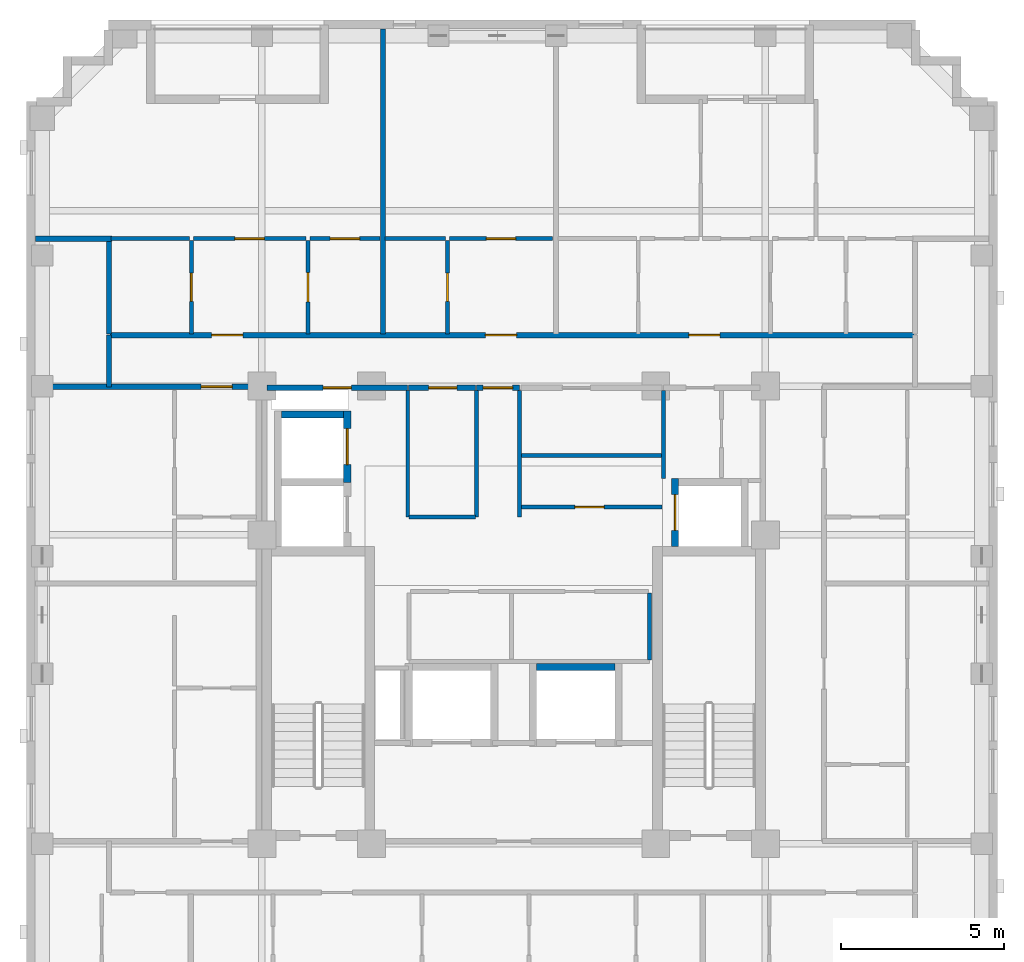
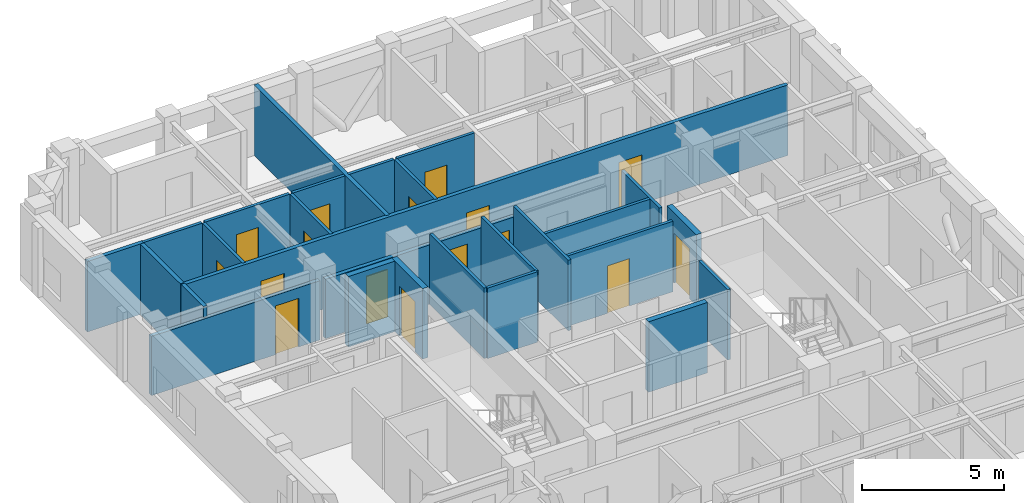
# One storey, part 5 of 11: 29 walls, 16 doors, 16 openings.
"""IFC4 building model written with IfcOpenShell, lengths in metres."""

import ifcopenshell
import ifcopenshell.guid

model = None  # the IFC model being written
_history = None  # IfcOwnerHistory: only IFC2X3 demands one
_inside = {}  # id of a spatial element -> (the spatial element, [elements in it])
_under = {}  # id of a project, library or spatial element -> (it, [spatial elements below it])
_declared = {}  # id of a project -> (the project, [libraries it declares])
_typed = {}  # id of a type object -> (the type object, [elements of that type])
_made_of = {}  # id of a material, layer set ... -> (it, [elements and type objects made of it])


def new_model(schema):
    """Start an empty IFC model of exactly this schema.

    Asked for "IFC4X3", IfcOpenShell would pick the latest addendum, in which some entities
    have other attributes; the version numbers below select the first issue.
    IFC2X3 requires an IfcOwnerHistory on every rooted entity: one is made here for all.
    """
    global model, _history
    if schema == "IFC4X3":
        model = ifcopenshell.file(schema_version=(4, 3, 0, 0))
    else:
        model = ifcopenshell.file(schema=schema)
    _inside.clear()
    _under.clear()
    _declared.clear()
    _typed.clear()
    _made_of.clear()
    _history = None
    if model.schema == "IFC2X3":
        org = make("IfcOrganization", Name="unknown")
        user = make(
            "IfcPersonAndOrganization",
            ThePerson=make("IfcPerson", FamilyName="unknown"),
            TheOrganization=org,
        )
        app = make(
            "IfcApplication",
            ApplicationDeveloper=org,
            Version="unknown",
            ApplicationFullName="unknown",
            ApplicationIdentifier="unknown",
        )
        _history = make(
            "IfcOwnerHistory",
            OwningUser=user,
            OwningApplication=app,
            ChangeAction="ADDED",
            CreationDate=0,
        )
    return model


def make(cls, **values):
    """One entity of the class cls with the attributes given. An attribute that is None is left unset."""
    return model.create_entity(
        cls, **{name: value for name, value in values.items() if value is not None}
    )


def rooted(cls, **values):
    """An entity with a GlobalId (a new one), such as an element, a storey or a relation."""
    return make(cls, GlobalId=ifcopenshell.guid.new(), OwnerHistory=_history, **values)


def si_unit(unit_type, name, prefix=None):
    """IfcSIUnit, for example si_unit("LENGTHUNIT", "METRE", prefix="MILLI")."""
    return make("IfcSIUnit", UnitType=unit_type, Prefix=prefix, Name=name)


def derived_unit(unit_type, elements):
    """IfcDerivedUnit: a product of units, each with its exponent."""
    return make(
        "IfcDerivedUnit",
        Elements=[
            make("IfcDerivedUnitElement", Unit=unit, Exponent=power)
            for unit, power in elements
        ],
        UnitType=unit_type,
    )


def assignment(units):
    """IfcUnitAssignment: the units of a project."""
    return None if units is None else make("IfcUnitAssignment", Units=units)


def point(xyz):
    """IfcCartesianPoint."""
    return None if xyz is None else make("IfcCartesianPoint", Coordinates=xyz)


def direction(xyz):
    """IfcDirection."""
    return None if xyz is None else make("IfcDirection", DirectionRatios=xyz)


def frame(location, z_axis=None, x_axis=None):
    """IfcAxis2Placement3D, a coordinate frame: its origin and axes. An axis left out is left unset."""
    return make(
        "IfcAxis2Placement3D",
        Location=point(location),
        Axis=direction(z_axis),
        RefDirection=direction(x_axis),
    )


def frame_2d(location, x_axis=None):
    """IfcAxis2Placement2D, a coordinate frame in the plane: its origin and x axis."""
    return make(
        "IfcAxis2Placement2D", Location=point(location), RefDirection=direction(x_axis)
    )


def origin():
    """The frame at (0, 0, 0) with its axes left unset."""
    return frame((0.0, 0.0, 0.0))


def place(relative_to, where):
    """IfcLocalPlacement: puts the frame where relative to a parent placement (None: the world)."""
    return make(
        "IfcLocalPlacement", PlacementRelTo=relative_to, RelativePlacement=where
    )


def context(
    kind, dimensions, precision=None, world=None, true_north=None, identifier=None
):
    """IfcGeometricRepresentationContext, for example the 3D "Model" context."""
    return make(
        "IfcGeometricRepresentationContext",
        ContextIdentifier=identifier,
        ContextType=kind,
        CoordinateSpaceDimension=dimensions,
        Precision=precision,
        WorldCoordinateSystem=world,
        TrueNorth=true_north,
    )


def subcontext(parent, identifier, kind, view, scale=None):
    """IfcGeometricRepresentationSubContext, for example "Body" below "Model"."""
    return make(
        "IfcGeometricRepresentationSubContext",
        ContextIdentifier=identifier,
        ContextType=kind,
        ParentContext=parent,
        TargetScale=scale,
        TargetView=view,
    )


def project(units=None, contexts=None):
    """IfcProject with its units and contexts."""
    return rooted(
        "IfcProject",
        Name="project",
        RepresentationContexts=contexts,
        UnitsInContext=assignment(units),
    )


def spatial(cls, under=None, at=None, **own):
    """A site, building, storey or space (cls), placed at a placement, below another one or the project."""
    s = rooted(cls, ObjectPlacement=at, **own)
    if under is not None:
        _under.setdefault(under.id(), (under, []))[1].append(s)
    return s


def profile(cls, at=None, kind="AREA", **sizes):
    """A parametric profile (cls). Its sizes go by their IFC names, for example OverallWidth=200.0."""
    return make(cls, ProfileType=kind, Position=at, **sizes)


def rectangle(**sizes):
    """IfcRectangleProfileDef."""
    return profile("IfcRectangleProfileDef", **sizes)


def extrude(swept, where, along, depth):
    """IfcExtrudedAreaSolid: the profile swept, set in the frame where, extruded along a direction by depth."""
    return make(
        "IfcExtrudedAreaSolid",
        SweptArea=swept,
        Position=where,
        ExtrudedDirection=direction(along),
        Depth=depth,
    )


def shape(context_of_items, identifier, shape_type, items):
    """IfcShapeRepresentation: the items that make up one representation, for example the "Body"."""
    return make(
        "IfcShapeRepresentation",
        ContextOfItems=context_of_items,
        RepresentationIdentifier=identifier,
        RepresentationType=shape_type,
        Items=items,
    )


def material(Name=None, Category=None):
    """IfcMaterial."""
    return make("IfcMaterial", Name=Name, Category=Category)


def layer(
    of_material, thickness, ventilated=None, Name=None, Category=None, Priority=None
):
    """IfcMaterialLayer: one layer of a wall or slab, of a material (None: an air gap)."""
    return make(
        "IfcMaterialLayer",
        Material=of_material,
        LayerThickness=thickness,
        IsVentilated=ventilated,
        Name=Name,
        Category=Category,
        Priority=Priority,
    )


def layer_set(layers, Name=None):
    """IfcMaterialLayerSet."""
    return make("IfcMaterialLayerSet", MaterialLayers=layers, LayerSetName=Name)


def made_of(thing, what):
    """Note that an element or type object is made of a material, layer set ...; save() writes the relation."""
    if what is not None:
        _made_of.setdefault(what.id(), (what, []))[1].append(thing)
    return thing


def type_object(cls, material=None, **own):
    """A type object (cls), such as IfcWallType, which elements share."""
    return made_of(rooted(cls, **own), material)


def element(
    cls,
    number,
    at=None,
    inside=None,
    cuts=None,
    type_object=None,
    material=None,
    context=None,
    identifier="Body",
    shape_type=None,
    held_by="IfcProductDefinitionShape",
    body=None,
    shapes=None,
    **own,
):
    """One element of the class cls, such as IfcWall. Its Tag is "e" and its number.

    at: its placement. inside: the storey or other place that contains it. cuts: it is an
    opening in that element (IfcRelVoidsElement). A single representation is given by context,
    identifier, shape_type and body (its items); several are given by shapes. held_by: the class
    of the entity that holds the representations. save() writes the other relations.
    """
    e = rooted(cls, Tag="e%d" % number, ObjectPlacement=at, **own)
    if body is not None:
        shapes = [shape(context, identifier, shape_type, body)]
    if shapes is not None:
        e.Representation = make(held_by, Representations=shapes)
    if inside is not None:
        _inside.setdefault(inside.id(), (inside, []))[1].append(e)
    if cuts is not None:
        rooted(
            "IfcRelVoidsElement", RelatingBuildingElement=cuts, RelatedOpeningElement=e
        )
    if type_object is not None:
        _typed.setdefault(type_object.id(), (type_object, []))[1].append(e)
    return made_of(e, material)


def fill(opening, filler):
    """IfcRelFillsElement: the door or window that sits in an opening."""
    return rooted(
        "IfcRelFillsElement",
        RelatingOpeningElement=opening,
        RelatedBuildingElement=filler,
    )


def aggregate(whole, parts):
    """IfcRelAggregates: a whole, such as a stair, and the parts it consists of."""
    return rooted("IfcRelAggregates", RelatingObject=whole, RelatedObjects=parts)


def save(model, path):
    """Write the relations noted so far, then the file.

    IfcRelAggregates (storeys below a building ...), IfcRelContainedInSpatialStructure (elements
    in a storey), IfcRelDefinesByType, IfcRelAssociatesMaterial and IfcRelDeclares: one each for
    every whole, place, type object, material and project.
    """
    for whole, parts in _under.values():
        aggregate(whole, parts)
    for where, things in _inside.values():
        rooted(
            "IfcRelContainedInSpatialStructure",
            RelatedElements=things,
            RelatingStructure=where,
        )
    for kind, things in _typed.values():
        rooted("IfcRelDefinesByType", RelatedObjects=things, RelatingType=kind)
    for what, things in _made_of.values():
        rooted("IfcRelAssociatesMaterial", RelatedObjects=things, RelatingMaterial=what)
    for by, libraries in _declared.values():
        rooted("IfcRelDeclares", RelatingContext=by, RelatedDefinitions=libraries)
    model.write(path)


model = new_model("IFC4")

# Units and contexts
model_context = context("Model", 3, precision=1e-05, world=origin(), true_north=direction((0.0, 1.0)))
body_context = subcontext(model_context, "Body", "Model", "MODEL_VIEW")
ifc_project = project(units=[si_unit("LENGTHUNIT", "METRE"), si_unit("AREAUNIT", "SQUARE_METRE"), si_unit("VOLUMEUNIT", "CUBIC_METRE"), si_unit("PLANEANGLEUNIT", "RADIAN"), si_unit("MASSUNIT", "GRAM", prefix="KILO"), derived_unit("THERMALTRANSMITTANCEUNIT", [(si_unit("MASSUNIT", "GRAM", prefix="KILO"), 1), (si_unit("TIMEUNIT", "SECOND"), -3), (si_unit("THERMODYNAMICTEMPERATUREUNIT", "KELVIN"), -1)])], contexts=[model_context])

# Site, building, storey
site_placement = place(None, origin())
site = spatial("IfcSite", under=ifc_project, at=site_placement, CompositionType="ELEMENT")
building_placement = place(site_placement, origin())
building = spatial("IfcBuilding", under=site, at=building_placement, Name="Korrvale Station Residences", CompositionType="ELEMENT")
storey_placement = place(building_placement, frame((0.0, 0.0, 190.89990234375)))
storey = spatial("IfcBuildingStorey", under=building, at=storey_placement, Name="L55", CompositionType="ELEMENT", Elevation=190.89990234375)

# Walls
ifc_material_1 = material(Name="Acoustic steel-stud gypsum board partition", Category="steel")
ifc_layer_1 = layer(ifc_material_1, 0.1201171875, Name="Acoustic steel-stud gypsum board partition")
ifc_layer_set_1 = layer_set([ifc_layer_1], Name="Acoustic steel-stud gypsum board partition")
wall_type_1 = type_object("IfcWallType", Name="WAL-PART-125", PredefinedType="PARTITIONING", material=ifc_layer_set_1)
for number, where, z_axis, x_axis, name in (
    (1, (24.360107421875, 25.0, 0.0), (0.0, 0.0, 1.0), (0.0, 1.0, 0.0), "L55 Core Partition CW-PSG-W"),
    (2, (25.679931640625, 25.0, 0.0), (0.0, 0.0, 1.0), (0.0, 1.0, 0.0), "L55 Core Partition CW-PSG-E"),
):
    element("IfcWall", number, at=place(storey_placement, frame(where, z_axis=z_axis, x_axis=x_axis)), inside=storey, type_object=wall_type_1, Name=name, PredefinedType="PARTITIONING", context=body_context, shape_type="SweptSolid", body=[
        extrude(rectangle(XDim=3.8701171875, YDim=0.1201171875, at=frame_2d((1.93505859375, 0.0))), origin(), (0.0, 0.0, 1.0), 3.0400390625),
    ])
wall_1_placement = place(storey_placement, frame((30.080078125, 26.179931640625, 0.0), z_axis=(0.0, 0.0, 1.0), x_axis=(0.0, 1.0, 0.0)))
element("IfcWall", 3, at=wall_1_placement, inside=storey, type_object=wall_type_1, Name="L55 Core Partition CW-CS-W", PredefinedType="PARTITIONING", context=body_context, shape_type="SweptSolid", body=[
    extrude(rectangle(XDim=2.68017578125, YDim=0.1201171875, at=frame_2d((1.340087890625, 0.0))), origin(), (0.0, 0.0, 1.0), 3.0400390625),
])
wall_2_placement = place(storey_placement, frame((22.260009765625, 25.0, 0.0), z_axis=(0.0, 0.0, 1.0), x_axis=(0.0, 1.0, 0.0)))
element("IfcWall", 4, at=wall_2_placement, inside=storey, type_object=wall_type_1, Name="L55 Core Partition CW-FPLW-W", PredefinedType="PARTITIONING", context=body_context, shape_type="SweptSolid", body=[
    extrude(rectangle(XDim=3.860107421875, YDim=0.1201171875, at=frame_2d((1.93017578125, 0.0))), origin(), (0.0, 0.0, 1.0), 3.0400390625),
])
wall_3_placement = place(storey_placement, frame((22.300048828125, 25.0, 0.0), z_axis=(0.0, 0.0, 1.0), x_axis=(1.0, 0.0, 0.0)))
element("IfcWall", 5, at=wall_3_placement, inside=storey, type_object=wall_type_1, Name="L55 Core Partition CW-FPLW-S", PredefinedType="PARTITIONING", context=body_context, shape_type="SweptSolid", body=[
    extrude(rectangle(XDim=2.0400390625, YDim=0.1201171875, at=frame_2d((1.02001953125, 0.0))), origin(), (0.0, 0.0, 1.0), 3.0400390625),
])
wall_4_placement = place(storey_placement, frame((25.719970703125, 26.8798828125, 0.0), z_axis=(0.0, 0.0, 1.0), x_axis=(1.0, 0.0, 0.0)))
element("IfcWall", 6, at=wall_4_placement, inside=storey, type_object=wall_type_1, Name="L55 Core Partition CW-FPLE-H", PredefinedType="PARTITIONING", context=body_context, shape_type="SweptSolid", body=[
    extrude(rectangle(XDim=4.320068359375, YDim=0.1201171875, at=frame_2d((2.16015625, 0.0))), origin(), (0.0, 0.0, 1.0), 3.0400390625),
])

# Wall, opening, door
wall_5_placement = place(storey_placement, frame((25.719970703125, 25.300048828125, 0.0), z_axis=(0.0, 0.0, 1.0), x_axis=(1.0, 0.0, 0.0)))
wall_5 = element("IfcWall", 7, at=wall_5_placement, inside=storey, type_object=wall_type_1, Name="L55 Core Partition CW-FPLE-S", PredefinedType="PARTITIONING", context=body_context, shape_type="SweptSolid", body=[
    extrude(rectangle(XDim=4.320068359375, YDim=0.1201171875, at=frame_2d((2.16015625, 0.0))), origin(), (0.0, 0.0, 1.0), 3.0400390625),
])
opening_1_placement = place(wall_5_placement, frame((1.64990234375, 0.0, 0.0)))
opening_1 = element("IfcOpeningElement", 8, at=opening_1_placement, cuts=wall_5, Name="Opening DI-900", PredefinedType="OPENING", context=body_context, shape_type="SweptSolid", body=[
    extrude(rectangle(XDim=0.89990234375, YDim=2.050048828125, at=frame_2d((0.449951171875, 1.02490234375))), frame((0.0, 0.070068359375, 0.0), z_axis=(0.0, -1.0, 0.0), x_axis=(1.0, 0.0, 0.0)), (0.0, 0.0, 1.0), 0.14013671875),
])
ifc_material_2 = material(Name="Painted solid-core timber interior room door", Category="wood")
door_type_1 = type_object("IfcDoorType", Name="DR-INT-900", OperationType="NOTDEFINED", PredefinedType="DOOR", material=ifc_material_2)
door_1_placement = place(opening_1_placement, origin())
door_1 = element("IfcDoor", 9, at=door_1_placement, inside=storey, type_object=door_type_1, Name="L55 Housekeeping Linen Door", OperationType="SINGLE_SWING_LEFT", OverallHeight=2.050048828125, OverallWidth=0.89990234375, PredefinedType="DOOR", context=body_context, shape_type="SweptSolid", body=[
    extrude(rectangle(XDim=0.89990234375, YDim=2.050048828125, at=frame_2d((0.449951171875, 1.02490234375))), frame((0.0, 0.02490234375, 0.0), z_axis=(0.0, -1.0, 0.0), x_axis=(1.0, 0.0, 0.0)), (0.0, 0.0, 1.0), 0.050048828125),
])
fill(opening_1, door_1)

# Wall
wall_6_placement = place(storey_placement, frame((29.659912109375, 20.6201171875, 0.0), z_axis=(0.0, 0.0, 1.0), x_axis=(0.0, 1.0, 0.0)))
element("IfcWall", 10, at=wall_6_placement, inside=storey, type_object=wall_type_1, Name="L55 Core Partition CW-FPM-E", PredefinedType="PARTITIONING", context=body_context, shape_type="SweptSolid", body=[
    extrude(rectangle(XDim=2.059814453125, YDim=0.1201171875, at=frame_2d((1.02978515625, 0.0))), origin(), (0.0, 0.0, 1.0), 3.0400390625),
])

# Wall, opening, door
wall_7_placement = place(storey_placement, frame((15.639892578125, 30.60009765625, 0.0), z_axis=(0.0, 0.0, 1.0), x_axis=(0.0, 1.0, 0.0)))
wall_7 = element("IfcWall", 11, at=wall_7_placement, inside=storey, type_object=wall_type_1, Name="L55 Suite Partition U04-V01", PredefinedType="PARTITIONING", context=body_context, shape_type="SweptSolid", body=[
    extrude(rectangle(XDim=2.849853515625, YDim=0.1201171875, at=frame_2d((1.4248046875, 0.0))), origin(), (0.0, 0.0, 1.0), 3.0400390625),
])
opening_2_placement = place(wall_7_placement, frame((0.9951171875, 0.0, 0.0)))
opening_2 = element("IfcOpeningElement", 12, at=opening_2_placement, cuts=wall_7, Name="Opening DB-860", PredefinedType="OPENING", context=body_context, shape_type="SweptSolid", body=[
    extrude(rectangle(XDim=0.860107421875, YDim=2.050048828125, at=frame_2d((0.43017578125, 1.02490234375))), frame((0.0, 0.070068359375, 0.0), z_axis=(0.0, -1.0, 0.0), x_axis=(1.0, 0.0, 0.0)), (0.0, 0.0, 1.0), 0.14013671875),
])
ifc_material_3 = material(Name="Moisture-resistant solid-core bathroom door", Category="timber")
door_type_2 = type_object("IfcDoorType", Name="DR-BATH-860", OperationType="NOTDEFINED", PredefinedType="DOOR", material=ifc_material_3)
door_2_placement = place(opening_2_placement, origin())
door_2 = element("IfcDoor", 13, at=door_2_placement, inside=storey, type_object=door_type_2, Name="L55 Studio Apartment L55-U04 Bathroom Door", OperationType="SINGLE_SWING_LEFT", OverallHeight=2.050048828125, OverallWidth=0.860107421875, PredefinedType="DOOR", context=body_context, shape_type="SweptSolid", body=[
    extrude(rectangle(XDim=0.860107421875, YDim=2.050048828125, at=frame_2d((0.43017578125, 1.02490234375))), frame((0.0, 0.02490234375, 0.0), z_axis=(0.0, -1.0, 0.0), x_axis=(1.0, 0.0, 0.0)), (0.0, 0.0, 1.0), 0.050048828125),
])
fill(opening_2, door_2)

# Wall
wall_8_placement = place(storey_placement, frame((13.179931640625, 33.510009765625, 0.0), z_axis=(0.0, 0.0, 1.0), x_axis=(1.0, 0.0, 0.0)))
element("IfcWall", 14, at=wall_8_placement, inside=storey, type_object=wall_type_1, Name="L55 Suite Partition U04-H03", PredefinedType="PARTITIONING", context=body_context, shape_type="SweptSolid", body=[
    extrude(rectangle(XDim=2.400146484375, YDim=0.1201171875, at=frame_2d((1.2001953125, 0.0))), origin(), (0.0, 0.0, 1.0), 3.0400390625),
])

# Wall, opening, door
wall_9_placement = place(storey_placement, frame((19.2099609375, 30.60009765625, 0.0), z_axis=(0.0, 0.0, 1.0), x_axis=(0.0, 1.0, 0.0)))
wall_9 = element("IfcWall", 15, at=wall_9_placement, inside=storey, type_object=wall_type_1, Name="L55 Suite Partition U04-V12", PredefinedType="PARTITIONING", context=body_context, shape_type="SweptSolid", body=[
    extrude(rectangle(XDim=2.849853515625, YDim=0.1201171875, at=frame_2d((1.4248046875, 0.0))), origin(), (0.0, 0.0, 1.0), 3.0400390625),
])
opening_3_placement = place(wall_9_placement, frame((0.97509765625, 0.0, 0.0)))
opening_3 = element("IfcOpeningElement", 16, at=opening_3_placement, cuts=wall_9, Name="Opening DI-900", PredefinedType="OPENING", context=body_context, shape_type="SweptSolid", body=[
    extrude(rectangle(XDim=0.89990234375, YDim=2.050048828125, at=frame_2d((0.449951171875, 1.02490234375))), frame((0.0, 0.070068359375, 0.0), z_axis=(0.0, -1.0, 0.0), x_axis=(1.0, 0.0, 0.0)), (0.0, 0.0, 1.0), 0.14013671875),
])
door_3_placement = place(opening_3_placement, origin())
door_3 = element("IfcDoor", 17, at=door_3_placement, inside=storey, type_object=door_type_1, Name="L55 Studio Apartment L55-U04 Kitchen Door", OperationType="SINGLE_SWING_RIGHT", OverallHeight=2.050048828125, OverallWidth=0.89990234375, PredefinedType="DOOR", context=body_context, shape_type="SweptSolid", body=[
    extrude(rectangle(XDim=0.89990234375, YDim=2.050048828125, at=frame_2d((0.449951171875, 1.02490234375))), frame((0.0, 0.02490234375, 0.0), z_axis=(0.0, -1.0, 0.0), x_axis=(1.0, 0.0, 0.0)), (0.0, 0.0, 1.0), 0.050048828125),
])
fill(opening_3, door_3)

wall_10_placement = place(storey_placement, frame((15.699951171875, 33.510009765625, 0.0), z_axis=(0.0, 0.0, 1.0), x_axis=(1.0, 0.0, 0.0)))
wall_10 = element("IfcWall", 18, at=wall_10_placement, inside=storey, type_object=wall_type_1, Name="L55 Suite Partition U04-H13", PredefinedType="PARTITIONING", context=body_context, shape_type="SweptSolid", body=[
    extrude(rectangle(XDim=3.449951171875, YDim=0.1201171875, at=frame_2d((1.72509765625, 0.0))), origin(), (0.0, 0.0, 1.0), 3.0400390625),
])
opening_4_placement = place(wall_10_placement, frame((1.27490234375, 0.0, 0.0)))
opening_4 = element("IfcOpeningElement", 19, at=opening_4_placement, cuts=wall_10, Name="Opening DI-900", PredefinedType="OPENING", context=body_context, shape_type="SweptSolid", body=[
    extrude(rectangle(XDim=0.89990234375, YDim=2.050048828125, at=frame_2d((0.449951171875, 1.02490234375))), frame((0.0, 0.070068359375, 0.0), z_axis=(0.0, -1.0, 0.0), x_axis=(1.0, 0.0, 0.0)), (0.0, 0.0, 1.0), 0.14013671875),
])
door_4_placement = place(opening_4_placement, origin())
door_4 = element("IfcDoor", 20, at=door_4_placement, inside=storey, type_object=door_type_1, Name="L55 Studio Apartment L55-U04 Kitchen Door", OperationType="SINGLE_SWING_LEFT", OverallHeight=2.050048828125, OverallWidth=0.89990234375, PredefinedType="DOOR", context=body_context, shape_type="SweptSolid", body=[
    extrude(rectangle(XDim=0.89990234375, YDim=2.050048828125, at=frame_2d((0.449951171875, 1.02490234375))), frame((0.0, 0.02490234375, 0.0), z_axis=(0.0, -1.0, 0.0), x_axis=(1.0, 0.0, 0.0)), (0.0, 0.0, 1.0), 0.050048828125),
])
fill(opening_4, door_4)

wall_11_placement = place(storey_placement, frame((19.27001953125, 33.510009765625, 0.0), z_axis=(0.0, 0.0, 1.0), x_axis=(1.0, 0.0, 0.0)))
wall_11 = element("IfcWall", 21, at=wall_11_placement, inside=storey, type_object=wall_type_1, Name="L55 Suite Partition U04-H23", PredefinedType="PARTITIONING", context=body_context, shape_type="SweptSolid", body=[
    extrude(rectangle(XDim=2.135009765625, YDim=0.1201171875, at=frame_2d((1.0673828125, 0.0))), origin(), (0.0, 0.0, 1.0), 3.0400390625),
])
opening_5_placement = place(wall_11_placement, frame((0.616943359375, 0.0, 0.0)))
opening_5 = element("IfcOpeningElement", 22, at=opening_5_placement, cuts=wall_11, Name="Opening DI-900", PredefinedType="OPENING", context=body_context, shape_type="SweptSolid", body=[
    extrude(rectangle(XDim=0.89990234375, YDim=2.050048828125, at=frame_2d((0.449951171875, 1.02490234375))), frame((0.0, 0.070068359375, 0.0), z_axis=(0.0, -1.0, 0.0), x_axis=(1.0, 0.0, 0.0)), (0.0, 0.0, 1.0), 0.14013671875),
])
door_5_placement = place(opening_5_placement, origin())
door_5 = element("IfcDoor", 23, at=door_5_placement, inside=storey, type_object=door_type_1, Name="L55 Studio Apartment L55-U04 Utility and Laundry Room Door", OperationType="SINGLE_SWING_RIGHT", OverallHeight=2.050048828125, OverallWidth=0.89990234375, PredefinedType="DOOR", context=body_context, shape_type="SweptSolid", body=[
    extrude(rectangle(XDim=0.89990234375, YDim=2.050048828125, at=frame_2d((0.449951171875, 1.02490234375))), frame((0.0, 0.02490234375, 0.0), z_axis=(0.0, -1.0, 0.0), x_axis=(1.0, 0.0, 0.0)), (0.0, 0.0, 1.0), 0.050048828125),
])
fill(opening_5, door_5)

wall_12_placement = place(storey_placement, frame((23.47509765625, 30.60009765625, 0.0), z_axis=(0.0, 0.0, 1.0), x_axis=(0.0, 1.0, 0.0)))
wall_12 = element("IfcWall", 24, at=wall_12_placement, inside=storey, type_object=wall_type_1, Name="L55 Suite Partition U05-V01", PredefinedType="PARTITIONING", context=body_context, shape_type="SweptSolid", body=[
    extrude(rectangle(XDim=2.849853515625, YDim=0.1201171875, at=frame_2d((1.4248046875, 0.0))), origin(), (0.0, 0.0, 1.0), 3.0400390625),
])
opening_6_placement = place(wall_12_placement, frame((0.9951171875, 0.0, 0.0)))
opening_6 = element("IfcOpeningElement", 25, at=opening_6_placement, cuts=wall_12, Name="Opening DB-860", PredefinedType="OPENING", context=body_context, shape_type="SweptSolid", body=[
    extrude(rectangle(XDim=0.860107421875, YDim=2.050048828125, at=frame_2d((0.43017578125, 1.02490234375))), frame((0.0, 0.070068359375, 0.0), z_axis=(0.0, -1.0, 0.0), x_axis=(1.0, 0.0, 0.0)), (0.0, 0.0, 1.0), 0.14013671875),
])
door_6_placement = place(opening_6_placement, origin())
door_6 = element("IfcDoor", 26, at=door_6_placement, inside=storey, type_object=door_type_2, Name="L55 Studio Apartment L55-U05 Bathroom Door", OperationType="SINGLE_SWING_LEFT", OverallHeight=2.050048828125, OverallWidth=0.860107421875, PredefinedType="DOOR", context=body_context, shape_type="SweptSolid", body=[
    extrude(rectangle(XDim=0.860107421875, YDim=2.050048828125, at=frame_2d((0.43017578125, 1.02490234375))), frame((0.0, 0.02490234375, 0.0), z_axis=(0.0, -1.0, 0.0), x_axis=(1.0, 0.0, 0.0)), (0.0, 0.0, 1.0), 0.050048828125),
])
fill(opening_6, door_6)

# Wall
wall_13_placement = place(storey_placement, frame((21.56494140625, 33.510009765625, 0.0), z_axis=(0.0, 0.0, 1.0), x_axis=(1.0, 0.0, 0.0)))
element("IfcWall", 27, at=wall_13_placement, inside=storey, type_object=wall_type_1, Name="L55 Suite Partition U05-H02", PredefinedType="PARTITIONING", context=body_context, shape_type="SweptSolid", body=[
    extrude(rectangle(XDim=1.85009765625, YDim=0.1201171875, at=frame_2d((0.925048828125, 0.0))), origin(), (0.0, 0.0, 1.0), 3.0400390625),
])

# Wall, opening, door
wall_14_placement = place(storey_placement, frame((23.534912109375, 33.510009765625, 0.0), z_axis=(0.0, 0.0, 1.0), x_axis=(1.0, 0.0, 0.0)))
wall_14 = element("IfcWall", 28, at=wall_14_placement, inside=storey, type_object=wall_type_1, Name="L55 Suite Partition U05-H12", PredefinedType="PARTITIONING", context=body_context, shape_type="SweptSolid", body=[
    extrude(rectangle(XDim=3.156982421875, YDim=0.1201171875, at=frame_2d((1.57861328125, 0.0))), origin(), (0.0, 0.0, 1.0), 3.0400390625),
])
opening_7_placement = place(wall_14_placement, frame((1.12890625, 0.0, 0.0)))
opening_7 = element("IfcOpeningElement", 29, at=opening_7_placement, cuts=wall_14, Name="Opening DI-900", PredefinedType="OPENING", context=body_context, shape_type="SweptSolid", body=[
    extrude(rectangle(XDim=0.89990234375, YDim=2.050048828125, at=frame_2d((0.449951171875, 1.02490234375))), frame((0.0, 0.070068359375, 0.0), z_axis=(0.0, -1.0, 0.0), x_axis=(1.0, 0.0, 0.0)), (0.0, 0.0, 1.0), 0.14013671875),
])
door_7_placement = place(opening_7_placement, origin())
door_7 = element("IfcDoor", 30, at=door_7_placement, inside=storey, type_object=door_type_1, Name="L55 Studio Apartment L55-U05 Kitchen Door", OperationType="SINGLE_SWING_RIGHT", OverallHeight=2.050048828125, OverallWidth=0.89990234375, PredefinedType="DOOR", context=body_context, shape_type="SweptSolid", body=[
    extrude(rectangle(XDim=0.89990234375, YDim=2.050048828125, at=frame_2d((0.449951171875, 1.02490234375))), frame((0.0, 0.02490234375, 0.0), z_axis=(0.0, -1.0, 0.0), x_axis=(1.0, 0.0, 0.0)), (0.0, 0.0, 1.0), 0.050048828125),
])
fill(opening_7, door_7)

ifc_material_4 = material(Name="Fire-rated twin-stud gypsum and mineral wool shaftwall assembly", Category="gypsum")
ifc_layer_2 = layer(ifc_material_4, 0.159912109375, Name="Fire-rated twin-stud gypsum and mineral wool shaftwall assembly")
ifc_layer_set_2 = layer_set([ifc_layer_2], Name="Fire-rated twin-stud gypsum and mineral wool shaftwall assembly")
wall_type_2 = type_object("IfcWallType", Name="WAL-PART-200", PredefinedType="PARTITIONING", material=ifc_layer_set_2)
wall_15_placement = place(storey_placement, frame((24.360107421875, 28.949951171875, 0.0), z_axis=(0.0, 0.0, 1.0), x_axis=(1.0, 0.0, 0.0)))
wall_15 = element("IfcWall", 31, at=wall_15_placement, inside=storey, type_object=wall_type_2, Name="L55 Core Partition CW-LLOB-N", PredefinedType="PARTITIONING", context=body_context, shape_type="SweptSolid", body=[
    extrude(rectangle(XDim=1.31982421875, YDim=0.159912109375, at=frame_2d((0.659912109375, 0.0))), origin(), (0.0, 0.0, 1.0), 2.55615234375),
])
opening_8_placement = place(wall_15_placement, frame((0.2099609375, 0.0, 0.0)))
opening_8 = element("IfcOpeningElement", 32, at=opening_8_placement, cuts=wall_15, Name="Opening DI-900", PredefinedType="OPENING", context=body_context, shape_type="SweptSolid", body=[
    extrude(rectangle(XDim=0.89990234375, YDim=2.050048828125, at=frame_2d((0.449951171875, 1.02490234375))), frame((0.0, 0.08984375, 0.0), z_axis=(0.0, -1.0, 0.0), x_axis=(1.0, 0.0, 0.0)), (0.0, 0.0, 1.0), 0.179931640625),
])
door_8_placement = place(opening_8_placement, origin())
door_8 = element("IfcDoor", 33, at=door_8_placement, inside=storey, type_object=door_type_1, Name="L55 Central Hallway North Passage Door", OperationType="SINGLE_SWING_RIGHT", OverallHeight=2.050048828125, OverallWidth=0.89990234375, PredefinedType="DOOR", context=body_context, shape_type="SweptSolid", body=[
    extrude(rectangle(XDim=0.89990234375, YDim=2.050048828125, at=frame_2d((0.449951171875, 1.02490234375))), frame((0.0, 0.02490234375, 0.0), z_axis=(0.0, -1.0, 0.0), x_axis=(1.0, 0.0, 0.0)), (0.0, 0.0, 1.0), 0.050048828125),
])
fill(opening_8, door_8)

wall_16_placement = place(storey_placement, frame((17.9599609375, 28.949951171875, 0.0), z_axis=(0.0, 0.0, 1.0), x_axis=(1.0, 0.0, 0.0)))
wall_16 = element("IfcWall", 34, at=wall_16_placement, inside=storey, type_object=wall_type_2, Name="L55 Core Partition CW-NW", PredefinedType="PARTITIONING", context=body_context, shape_type="SweptSolid", body=[
    extrude(rectangle(XDim=4.2900390625, YDim=0.159912109375, at=frame_2d((2.14501953125, 0.0))), origin(), (0.0, 0.0, 1.0), 2.55615234375),
])
opening_9_placement = place(wall_16_placement, frame((1.715087890625, 0.0, 0.0)))
opening_9 = element("IfcOpeningElement", 35, at=opening_9_placement, cuts=wall_16, Name="Opening DB-860", PredefinedType="OPENING", context=body_context, shape_type="SweptSolid", body=[
    extrude(rectangle(XDim=0.860107421875, YDim=2.050048828125, at=frame_2d((0.43017578125, 1.02490234375))), frame((0.0, 0.08984375, 0.0), z_axis=(0.0, -1.0, 0.0), x_axis=(1.0, 0.0, 0.0)), (0.0, 0.0, 1.0), 0.179931640625),
])
door_9_placement = place(opening_9_placement, origin())
door_9 = element("IfcDoor", 36, at=door_9_placement, inside=storey, type_object=door_type_2, Name="L55 Electrical Riser Access Door", OperationType="SINGLE_SWING_LEFT", OverallHeight=2.050048828125, OverallWidth=0.860107421875, PredefinedType="DOOR", context=body_context, shape_type="SweptSolid", body=[
    extrude(rectangle(XDim=0.860107421875, YDim=2.050048828125, at=frame_2d((0.43017578125, 1.02490234375))), frame((0.0, 0.02490234375, 0.0), z_axis=(0.0, -1.0, 0.0), x_axis=(1.0, 0.0, 0.0)), (0.0, 0.0, 1.0), 0.050048828125),
])
fill(opening_9, door_9)

wall_17_placement = place(storey_placement, frame((22.280029296875, 28.949951171875, 0.0), z_axis=(0.0, 0.0, 1.0), x_axis=(1.0, 0.0, 0.0)))
wall_17 = element("IfcWall", 37, at=wall_17_placement, inside=storey, type_object=wall_type_2, Name="L55 Core Partition CW-FPLW-N", PredefinedType="PARTITIONING", context=body_context, shape_type="SweptSolid", body=[
    extrude(rectangle(XDim=2.06005859375, YDim=0.159912109375, at=frame_2d((1.030029296875, 0.0))), origin(), (0.0, 0.0, 1.0), 2.55615234375),
])
opening_10_placement = place(wall_17_placement, frame((0.6201171875, 0.0, 0.0)))
opening_10 = element("IfcOpeningElement", 38, at=opening_10_placement, cuts=wall_17, Name="Opening DB-860", PredefinedType="OPENING", context=body_context, shape_type="SweptSolid", body=[
    extrude(rectangle(XDim=0.860107421875, YDim=2.050048828125, at=frame_2d((0.43017578125, 1.02490234375))), frame((0.0, 0.08984375, 0.0), z_axis=(0.0, -1.0, 0.0), x_axis=(1.0, 0.0, 0.0)), (0.0, 0.0, 1.0), 0.179931640625),
])
door_10_placement = place(opening_10_placement, origin())
door_10 = element("IfcDoor", 39, at=door_10_placement, inside=storey, type_object=door_type_2, Name="L55 Resident Parcel Room Door", OperationType="SINGLE_SWING_RIGHT", OverallHeight=2.050048828125, OverallWidth=0.860107421875, PredefinedType="DOOR", context=body_context, shape_type="SweptSolid", body=[
    extrude(rectangle(XDim=0.860107421875, YDim=2.050048828125, at=frame_2d((0.43017578125, 1.02490234375))), frame((0.0, 0.02490234375, 0.0), z_axis=(0.0, -1.0, 0.0), x_axis=(1.0, 0.0, 0.0)), (0.0, 0.0, 1.0), 0.050048828125),
])
fill(opening_10, door_10)

# Walls
wall_18_placement = place(storey_placement, frame((13.1201171875, 28.97998046875, 0.0), z_axis=(0.0, 0.0, 1.0), x_axis=(0.0, 1.0, 0.0)))
element("IfcWall", 40, at=wall_18_placement, inside=storey, type_object=wall_type_2, Name="L55 Corridor North West Cap", PredefinedType="PARTITIONING", context=body_context, shape_type="SweptSolid", body=[
    extrude(rectangle(XDim=1.580078125, YDim=0.159912109375, at=frame_2d((0.7900390625, 0.0))), origin(), (0.0, 0.0, 1.0), 3.0400390625),
])
wall_19_placement = place(storey_placement, frame((10.8798828125, 33.510009765625, 0.0), z_axis=(0.0, 0.0, 1.0), x_axis=(1.0, 0.0, 0.0)))
element("IfcWall", 41, at=wall_19_placement, inside=storey, type_object=wall_type_2, Name="L55 Corner Step Wall U04-L", PredefinedType="PARTITIONING", context=body_context, shape_type="SweptSolid", body=[
    extrude(rectangle(XDim=2.340087890625, YDim=0.159912109375, at=frame_2d((1.169921875, 0.0))), origin(), (0.0, 0.0, 1.0), 3.0400390625),
])
wall_20_placement = place(storey_placement, frame((13.1201171875, 30.60009765625, 0.0), z_axis=(0.0, 0.0, 1.0), x_axis=(0.0, 1.0, 0.0)))
element("IfcWall", 42, at=wall_20_placement, inside=storey, type_object=wall_type_2, Name="L55 Corner Step Cheek U04-L", PredefinedType="PARTITIONING", context=body_context, shape_type="SweptSolid", body=[
    extrude(rectangle(XDim=2.909912109375, YDim=0.159912109375, at=frame_2d((1.455078125, 0.0))), origin(), (0.0, 0.0, 1.0), 3.0400390625),
])
wall_21_placement = place(storey_placement, frame((21.5048828125, 30.60009765625, 0.0), z_axis=(0.0, 0.0, 1.0), x_axis=(0.0, 1.0, 0.0)))
element("IfcWall", 43, at=wall_21_placement, inside=storey, type_object=wall_type_2, Name="L55 Demising Wall U05-W", PredefinedType="PARTITIONING", context=body_context, shape_type="SweptSolid", body=[
    extrude(rectangle(XDim=9.31982421875, YDim=0.159912109375, at=frame_2d((4.659912109375, 0.0))), origin(), (0.0, 0.0, 1.0), 3.0400390625),
])

# Wall, opening, door
wall_22_placement = place(storey_placement, frame((10.8798828125, 28.97998046875, 0.0), z_axis=(0.0, 0.0, 1.0), x_axis=(1.0, 0.0, 0.0)))
wall_22 = element("IfcWall", 44, at=wall_22_placement, inside=storey, type_object=wall_type_2, Name="L55 Side Suite North Entry Wall U08", PredefinedType="PARTITIONING", context=body_context, shape_type="SweptSolid", body=[
    extrude(rectangle(XDim=6.880126953125, YDim=0.159912109375, at=frame_2d((3.43994140625, 0.0))), origin(), (0.0, 0.0, 1.0), 2.55615234375),
])
opening_11_placement = place(wall_22_placement, frame((5.06005859375, 0.0, 0.0)))
opening_11 = element("IfcOpeningElement", 45, at=opening_11_placement, cuts=wall_22, Name="Opening UD-950", PredefinedType="OPENING", context=body_context, shape_type="SweptSolid", body=[
    extrude(rectangle(XDim=0.949951171875, YDim=2.10009765625, at=frame_2d((0.47509765625, 1.050048828125))), frame((0.0, 0.08984375, 0.0), z_axis=(0.0, -1.0, 0.0), x_axis=(1.0, 0.0, 0.0)), (0.0, 0.0, 1.0), 0.179931640625),
])
ifc_material_5 = material(Name="Solid-core acoustic oak apartment entrance door", Category="timber")
door_type_3 = type_object("IfcDoorType", Name="DR-UNIT-950", OperationType="NOTDEFINED", PredefinedType="DOOR", material=ifc_material_5)
door_11_placement = place(opening_11_placement, origin())
door_11 = element("IfcDoor", 46, at=door_11_placement, inside=storey, type_object=door_type_3, Name="L55 Apartment L55-U08 Entrance Door", OperationType="SINGLE_SWING_LEFT", OverallHeight=2.10009765625, OverallWidth=0.949951171875, PredefinedType="DOOR", context=body_context, shape_type="SweptSolid", body=[
    extrude(rectangle(XDim=0.949951171875, YDim=2.10009765625, at=frame_2d((0.47509765625, 1.050048828125))), frame((0.0, 0.02490234375, 0.0), z_axis=(0.0, -1.0, 0.0), x_axis=(1.0, 0.0, 0.0)), (0.0, 0.0, 1.0), 0.050048828125),
])
fill(opening_11, door_11)

# Wall, openings, doors
wall_23_placement = place(storey_placement, frame((13.14990234375, 30.56005859375, 0.0), z_axis=(0.0, 0.0, 1.0), x_axis=(1.0, 0.0, 0.0)))
wall_23 = element("IfcWall", 47, at=wall_23_placement, inside=storey, type_object=wall_type_2, Name="L55 Rated Corridor Wall N", PredefinedType="PARTITIONING", context=body_context, shape_type="SweptSolid", body=[
    extrude(rectangle(XDim=24.60009765625, YDim=0.159912109375, at=frame_2d((12.300048828125, 0.0))), origin(), (0.0, 0.0, 1.0), 3.0400390625),
])
opening_12_placement = place(wall_23_placement, frame((3.114990234375, 0.0, 0.0)))
opening_12 = element("IfcOpeningElement", 48, at=opening_12_placement, cuts=wall_23, Name="Opening UD-950", PredefinedType="OPENING", context=body_context, shape_type="SweptSolid", body=[
    extrude(rectangle(XDim=0.949951171875, YDim=2.10009765625, at=frame_2d((0.47509765625, 1.050048828125))), frame((0.0, 0.08984375, 0.0), z_axis=(0.0, -1.0, 0.0), x_axis=(1.0, 0.0, 0.0)), (0.0, 0.0, 1.0), 0.179931640625),
])
opening_13_placement = place(wall_23_placement, frame((11.489013671875, 0.0, 0.0)))
opening_13 = element("IfcOpeningElement", 49, at=opening_13_placement, cuts=wall_23, Name="Opening UD-950", PredefinedType="OPENING", context=body_context, shape_type="SweptSolid", body=[
    extrude(rectangle(XDim=0.949951171875, YDim=2.10009765625, at=frame_2d((0.47509765625, 1.050048828125))), frame((0.0, 0.08984375, 0.0), z_axis=(0.0, -1.0, 0.0), x_axis=(1.0, 0.0, 0.0)), (0.0, 0.0, 1.0), 0.179931640625),
])
opening_14_placement = place(wall_23_placement, frame((17.70703125, 0.0, 0.0)))
opening_14 = element("IfcOpeningElement", 50, at=opening_14_placement, cuts=wall_23, Name="Opening UD-950", PredefinedType="OPENING", context=body_context, shape_type="SweptSolid", body=[
    extrude(rectangle(XDim=0.949951171875, YDim=2.10009765625, at=frame_2d((0.47509765625, 1.050048828125))), frame((0.0, 0.08984375, 0.0), z_axis=(0.0, -1.0, 0.0), x_axis=(1.0, 0.0, 0.0)), (0.0, 0.0, 1.0), 0.179931640625),
])
door_12_placement = place(opening_12_placement, origin())
door_12 = element("IfcDoor", 51, at=door_12_placement, inside=storey, type_object=door_type_3, Name="L55 Apartment L55-U04 Entrance Door", OperationType="SINGLE_SWING_LEFT", OverallHeight=2.10009765625, OverallWidth=0.949951171875, PredefinedType="DOOR", context=body_context, shape_type="SweptSolid", body=[
    extrude(rectangle(XDim=0.949951171875, YDim=2.10009765625, at=frame_2d((0.47509765625, 1.050048828125))), frame((0.0, 0.02490234375, 0.0), z_axis=(0.0, -1.0, 0.0), x_axis=(1.0, 0.0, 0.0)), (0.0, 0.0, 1.0), 0.050048828125),
])
fill(opening_12, door_12)
door_13_placement = place(opening_13_placement, origin())
door_13 = element("IfcDoor", 52, at=door_13_placement, inside=storey, type_object=door_type_3, Name="L55 Apartment L55-U05 Entrance Door", OperationType="SINGLE_SWING_RIGHT", OverallHeight=2.10009765625, OverallWidth=0.949951171875, PredefinedType="DOOR", context=body_context, shape_type="SweptSolid", body=[
    extrude(rectangle(XDim=0.949951171875, YDim=2.10009765625, at=frame_2d((0.47509765625, 1.050048828125))), frame((0.0, 0.02490234375, 0.0), z_axis=(0.0, -1.0, 0.0), x_axis=(1.0, 0.0, 0.0)), (0.0, 0.0, 1.0), 0.050048828125),
])
fill(opening_13, door_13)
door_14_placement = place(opening_14_placement, origin())
door_14 = element("IfcDoor", 53, at=door_14_placement, inside=storey, type_object=door_type_3, Name="L55 Apartment L55-U06 Entrance Door", OperationType="SINGLE_SWING_LEFT", OverallHeight=2.10009765625, OverallWidth=0.949951171875, PredefinedType="DOOR", context=body_context, shape_type="SweptSolid", body=[
    extrude(rectangle(XDim=0.949951171875, YDim=2.10009765625, at=frame_2d((0.47509765625, 1.050048828125))), frame((0.0, 0.02490234375, 0.0), z_axis=(0.0, -1.0, 0.0), x_axis=(1.0, 0.0, 0.0)), (0.0, 0.0, 1.0), 0.050048828125),
])
fill(opening_14, door_14)

# Wall
ifc_material_6 = material(Name="Concrete C50/60", Category="concrete")
ifc_layer_3 = layer(ifc_material_6, 0.219970703125, Name="Concrete C50/60")
ifc_layer_set_3 = layer_set([ifc_layer_3], Name="Concrete C50/60")
wall_type_3 = type_object("IfcWallType", Name="WAL-SHAFT-220-C50", PredefinedType="SHEAR", material=ifc_layer_set_3)
wall_24_placement = place(storey_placement, frame((18.39990234375, 28.1298828125, 0.0), z_axis=(0.0, 0.0, 1.0), x_axis=(1.0, 0.0, 0.0)))
element("IfcWall", 54, at=wall_24_placement, inside=storey, type_object=wall_type_3, Name="L55 Elevator PH-2 Hoistway Wall North", PredefinedType="SHEAR", context=body_context, shape_type="SweptSolid", body=[
    extrude(rectangle(XDim=1.900146484375, YDim=0.219970703125, at=frame_2d((0.9501953125, 0.0))), origin(), (0.0, 0.0, 1.0), 3.0400390625),
])

# Wall, opening, door
wall_25_placement = place(storey_placement, frame((20.409912109375, 26.06005859375, 0.0), z_axis=(0.0, 0.0, 1.0), x_axis=(0.0, 1.0, 0.0)))
wall_25 = element("IfcWall", 55, at=wall_25_placement, inside=storey, type_object=wall_type_3, Name="L55 Elevator PH-2 Hoistway Wall East", PredefinedType="SHEAR", context=body_context, shape_type="SweptSolid", body=[
    extrude(rectangle(XDim=2.179931640625, YDim=0.219970703125, at=frame_2d((1.08984375, 0.0))), origin(), (0.0, 0.0, 1.0), 3.0400390625),
])
opening_15_placement = place(wall_25_placement, frame((0.5400390625, 0.0, 0.0)))
opening_15 = element("IfcOpeningElement", 56, at=opening_15_placement, cuts=wall_25, Name="Opening LD-1100", PredefinedType="OPENING", context=body_context, shape_type="SweptSolid", body=[
    extrude(rectangle(XDim=1.10009765625, YDim=2.14990234375, at=frame_2d((0.550048828125, 1.074951171875))), frame((0.0, 0.1201171875, 0.0), z_axis=(0.0, -1.0, 0.0), x_axis=(1.0, 0.0, 0.0)), (0.0, 0.0, 1.0), 0.239990234375),
])
ifc_material_7 = material(Name="Brushed stainless-steel elevator landing sliding door", Category="steel")
door_type_4 = type_object("IfcDoorType", Name="DR-LIFT-1100", OperationType="SLIDING_TO_LEFT", PredefinedType="DOOR", material=ifc_material_7)
door_15_placement = place(opening_15_placement, origin())
door_15 = element("IfcDoor", 57, at=door_15_placement, inside=storey, type_object=door_type_4, Name="L55 Elevator PH-2 Sliding Landing Door", OperationType="SLIDING_TO_LEFT", OverallHeight=2.14990234375, OverallWidth=1.10009765625, PredefinedType="DOOR", context=body_context, shape_type="SweptSolid", body=[
    extrude(rectangle(XDim=1.10009765625, YDim=2.14990234375, at=frame_2d((0.550048828125, 1.074951171875))), frame((0.0, 0.02490234375, 0.0), z_axis=(0.0, -1.0, 0.0), x_axis=(1.0, 0.0, 0.0)), (0.0, 0.0, 1.0), 0.050048828125),
])
fill(opening_15, door_15)

wall_26_placement = place(storey_placement, frame((30.43994140625, 24.10009765625, 0.0), z_axis=(0.0, 0.0, 1.0), x_axis=(0.0, 1.0, 0.0)))
wall_26 = element("IfcWall", 58, at=wall_26_placement, inside=storey, type_object=wall_type_3, Name="L55 Elevator PH-3 Hoistway Wall West", PredefinedType="SHEAR", context=body_context, shape_type="SweptSolid", body=[
    extrude(rectangle(XDim=2.06982421875, YDim=0.219970703125, at=frame_2d((1.034912109375, 0.0))), origin(), (0.0, 0.0, 1.0), 3.0400390625),
])
opening_16_placement = place(wall_26_placement, frame((0.485107421875, 0.0, 0.0)))
opening_16 = element("IfcOpeningElement", 59, at=opening_16_placement, cuts=wall_26, Name="Opening LD-1100", PredefinedType="OPENING", context=body_context, shape_type="SweptSolid", body=[
    extrude(rectangle(XDim=1.10009765625, YDim=2.14990234375, at=frame_2d((0.550048828125, 1.074951171875))), frame((0.0, 0.1201171875, 0.0), z_axis=(0.0, -1.0, 0.0), x_axis=(1.0, 0.0, 0.0)), (0.0, 0.0, 1.0), 0.239990234375),
])
door_16_placement = place(opening_16_placement, origin())
door_16 = element("IfcDoor", 60, at=door_16_placement, inside=storey, type_object=door_type_4, Name="L55 Elevator PH-3 Sliding Landing Door", OperationType="SLIDING_TO_LEFT", OverallHeight=2.14990234375, OverallWidth=1.10009765625, PredefinedType="DOOR", context=body_context, shape_type="SweptSolid", body=[
    extrude(rectangle(XDim=1.10009765625, YDim=2.14990234375, at=frame_2d((0.550048828125, 1.074951171875))), frame((0.0, 0.02490234375, 0.0), z_axis=(0.0, -1.0, 0.0), x_axis=(1.0, 0.0, 0.0)), (0.0, 0.0, 1.0), 0.050048828125),
])
fill(opening_16, door_16)

# Wall
wall_27_placement = place(storey_placement, frame((26.199951171875, 20.409912109375, 0.0), z_axis=(0.0, 0.0, 1.0), x_axis=(1.0, 0.0, 0.0)))
element("IfcWall", 61, at=wall_27_placement, inside=storey, type_object=wall_type_3, Name="L55 Elevator FFL-2 Hoistway Wall North", PredefinedType="SHEAR", context=body_context, shape_type="SweptSolid", body=[
    extrude(rectangle(XDim=2.400146484375, YDim=0.219970703125, at=frame_2d((1.2001953125, 0.0))), origin(), (0.0, 0.0, 1.0), 3.0400390625),
])

save(model, "model.ifc")
